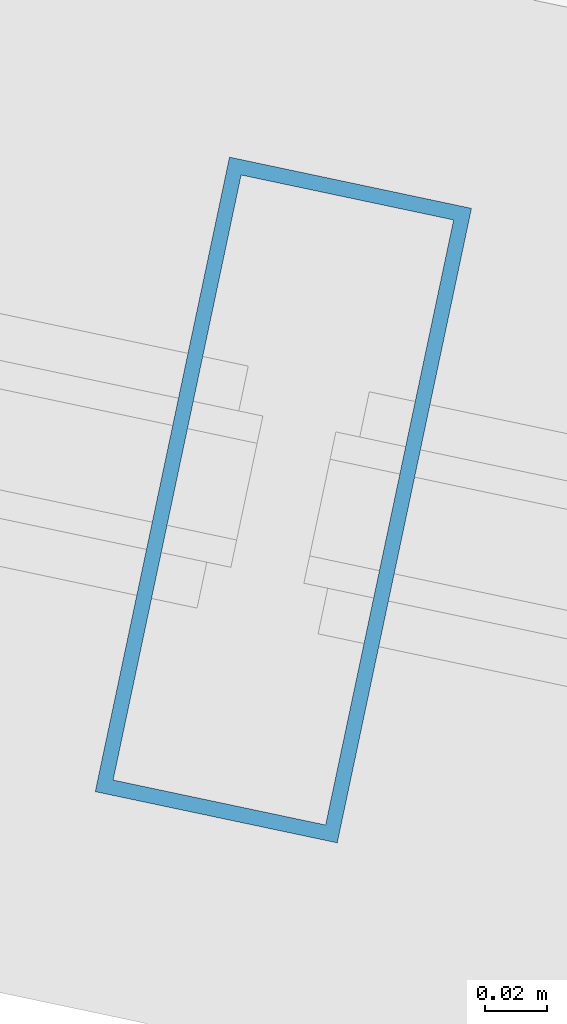
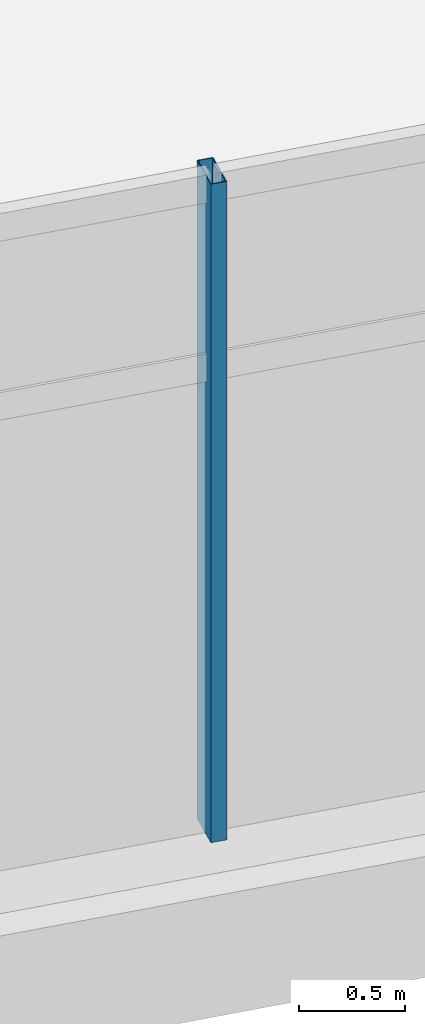
# One storey, part 13 of 171: 1 member, 1 element without a shape of its own.
"""IFC4 building model written with IfcOpenShell, lengths in metres."""

from ifc_helpers import new_model, si_unit, direction, frame, origin, origin_2d, place, context, subcontext, project, spatial, hollow_rectangle, extrude, material, layer, layer_set, material_profile, profile_set, type_object, element, aggregate, save


model = new_model("IFC4")

# Units and contexts
model_context = context("Model", 3, precision=1e-05, world=origin(), true_north=direction((0.0, 1.0)))
body_context = subcontext(model_context, "Body", "Model", "MODEL_VIEW")
ifc_project = project(units=[si_unit("LENGTHUNIT", "METRE"), si_unit("AREAUNIT", "SQUARE_METRE"), si_unit("VOLUMEUNIT", "CUBIC_METRE"), si_unit("PLANEANGLEUNIT", "RADIAN"), si_unit("MASSUNIT", "GRAM", prefix="KILO")], contexts=[model_context])

# Site, building, storey
site_placement = place(None, origin())
site = spatial("IfcSite", under=ifc_project, at=site_placement, CompositionType="ELEMENT")
building_placement = place(site_placement, origin())
building = spatial("IfcBuilding", under=site, at=building_placement, Name="Kazemori Nagisa Stadium", CompositionType="ELEMENT")
storey_placement = place(building_placement, frame((0.0, 0.0, 15.639892578125)))
storey = spatial("IfcBuildingStorey", under=building, at=storey_placement, Name="L03", CompositionType="ELEMENT", Elevation=15.639892578125)

# Curtain wall, member
ifc_material_1 = material(Name="Anodised aluminium 6063-T5", Category="aluminium")
ifc_layer = layer(ifc_material_1, 0.2099609375, Name="Anodised aluminium 6063-T5", Category="aluminium")
ifc_layer_set = layer_set([ifc_layer], Name="Anodised aluminium 6063-T5")
curtain_wall_type = type_object("IfcCurtainWallType", Name="CW_L03R3_105", PredefinedType="USERDEFINED", material=ifc_layer_set)
curtain_wall_placement = place(storey_placement, origin())
curtain_wall = element("IfcCurtainWall", 1, at=curtain_wall_placement, inside=storey, type_object=curtain_wall_type, Name="Unitised curtain wall CW-L03R3-105 L03", ObjectType="UNITISED CURTAIN WALL", PredefinedType="USERDEFINED")
ifc_material_2 = material(Name="Aluminium 6063-T5 anodised", Category="aluminium")
ifc_material_profile = material_profile(ifc_material_2, hollow_rectangle(XDim=0.080078125, YDim=0.2099609375, WallThickness=0.0048828125, at=origin_2d()), Name="ALU-MULL-80x210x5")
ifc_profile_set = profile_set([ifc_material_profile], Name="Aluminium 6063-T5 anodised")
member_type = type_object("IfcMemberType", Name="Mullion_M02", PredefinedType="MULLION", material=ifc_profile_set)
member_placement = place(storey_placement, frame((87.475830078125, 19.995361328125, 0.0), z_axis=(0.0, 0.0, 1.0), x_axis=(0.978344955407, -0.206981033502, 0.0)))
member = element("IfcMember", 2, at=member_placement, type_object=member_type, Name="Curtain wall mullion CW-L03R3-105-M2", PredefinedType="MULLION", context=body_context, shape_type="SweptSolid", body=[
    extrude(hollow_rectangle(XDim=0.080078125, YDim=0.2099609375, WallThickness=0.0048828125, at=origin_2d()), origin(), (0.0, 0.0, 1.0), 3.81005859375),
])
aggregate(curtain_wall, [member])

save(model, "model.ifc")
